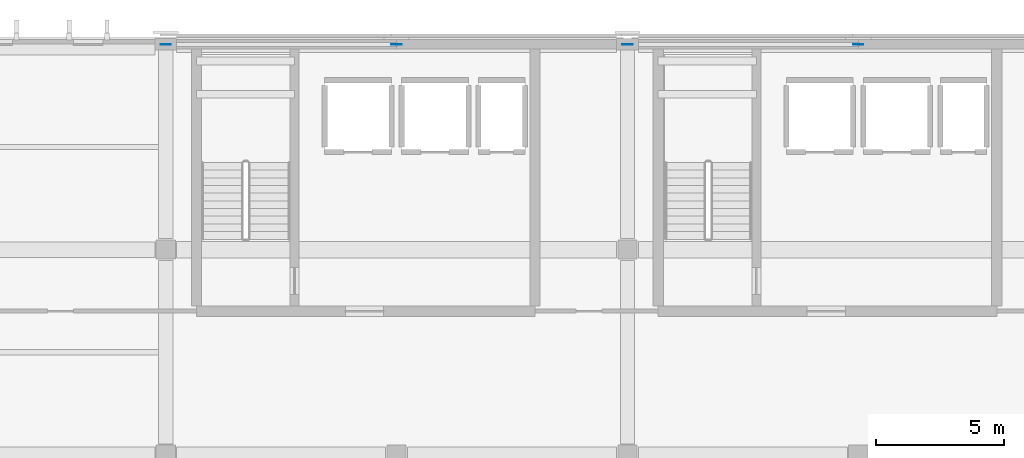
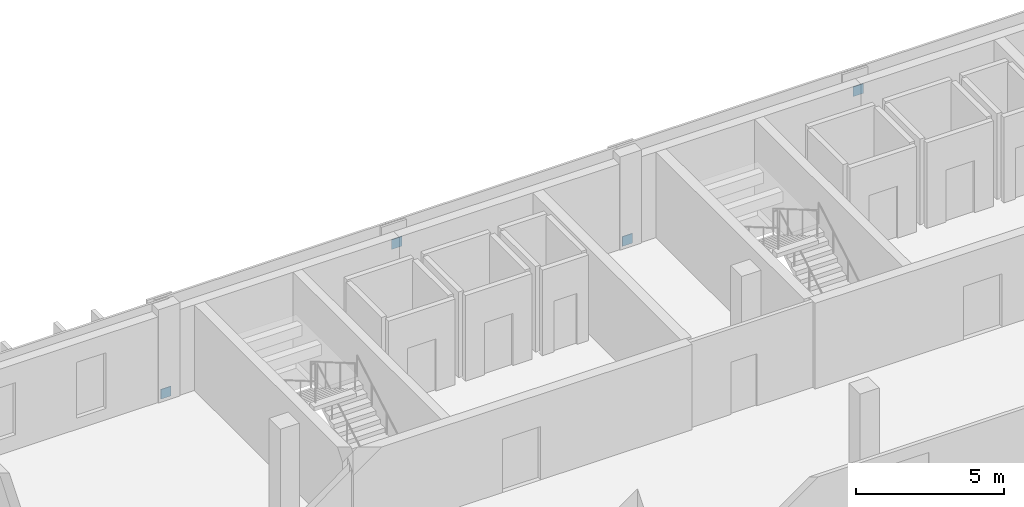
# One storey, part 37 of 64: 4 plates.
"""IFC4 building model written with IfcOpenShell, lengths in metres."""

from ifc_helpers import new_model, si_unit, direction, frame, origin, origin_2d, place, context, subcontext, project, spatial, rectangle, extrude, material, layer, layer_set, type_object, element, save


model = new_model("IFC4")

# Units and contexts
model_context = context("Model", 3, precision=1e-05, world=origin(), true_north=direction((0.0, 1.0)))
body_context = subcontext(model_context, "Body", "Model", "MODEL_VIEW")
ifc_project = project(units=[si_unit("LENGTHUNIT", "METRE"), si_unit("AREAUNIT", "SQUARE_METRE"), si_unit("VOLUMEUNIT", "CUBIC_METRE"), si_unit("PLANEANGLEUNIT", "RADIAN"), si_unit("MASSUNIT", "GRAM", prefix="KILO")], contexts=[model_context])

# Site, building, storey
site_placement = place(None, origin())
site = spatial("IfcSite", under=ifc_project, at=site_placement, CompositionType="ELEMENT")
building_placement = place(site_placement, origin())
building = spatial("IfcBuilding", under=site, at=building_placement, Name="Vervanel Yard Central Library", CompositionType="ELEMENT")
storey_placement = place(building_placement, frame((0.0, 0.0, 8.93994140625)))
storey = spatial("IfcBuildingStorey", under=building, at=storey_placement, Name="L02", CompositionType="ELEMENT", Elevation=8.93994140625)

# Plates
ifc_material = material(Name="Steel ASTM A572 Grade 50", Category="steel")
ifc_layer = layer(ifc_material, 0.028076171875, Category="steel")
ifc_layer_set = layer_set([ifc_layer], Name="Steel ASTM A572 Grade 50")
plate_type = type_object("IfcPlateType", Name="Brace End Cap Plate 28", PredefinedType="SHEET", material=ifc_layer_set)
for number, where, z_axis, x_axis, name in (
    (1, (45.0, 114.0, -0.0498046875), (0.0, 0.0, 1.0), (1.0, 0.0, 0.0), "L02 Lateral Brace End Cap 2-1"),
    (2, (54.0, 114.0, 2.97509765625), (0.0, 0.0, 1.0), (1.0, 0.0, 0.0), "L02 Lateral Brace End Cap 2-2"),
    (3, (63.0, 114.0, -0.0498046875), (0.0, 0.0, 1.0), (1.0, 0.0, 0.0), "L02 Lateral Brace End Cap 5-1"),
    (4, (72.0, 114.0, 2.97509765625), (0.0, 0.0, 1.0), (1.0, 0.0, 0.0), "L02 Lateral Brace End Cap 5-2"),
):
    element("IfcPlate", number, at=place(storey_placement, frame(where, z_axis=z_axis, x_axis=x_axis)), inside=storey, type_object=plate_type, Name=name, PredefinedType="SHEET", context=body_context, shape_type="SweptSolid", body=[
        extrude(rectangle(XDim=0.39990234375, YDim=0.028076171875, at=origin_2d()), origin(), (0.0, 0.0, 1.0), 0.39990234375),
    ])

save(model, "model.ifc")
